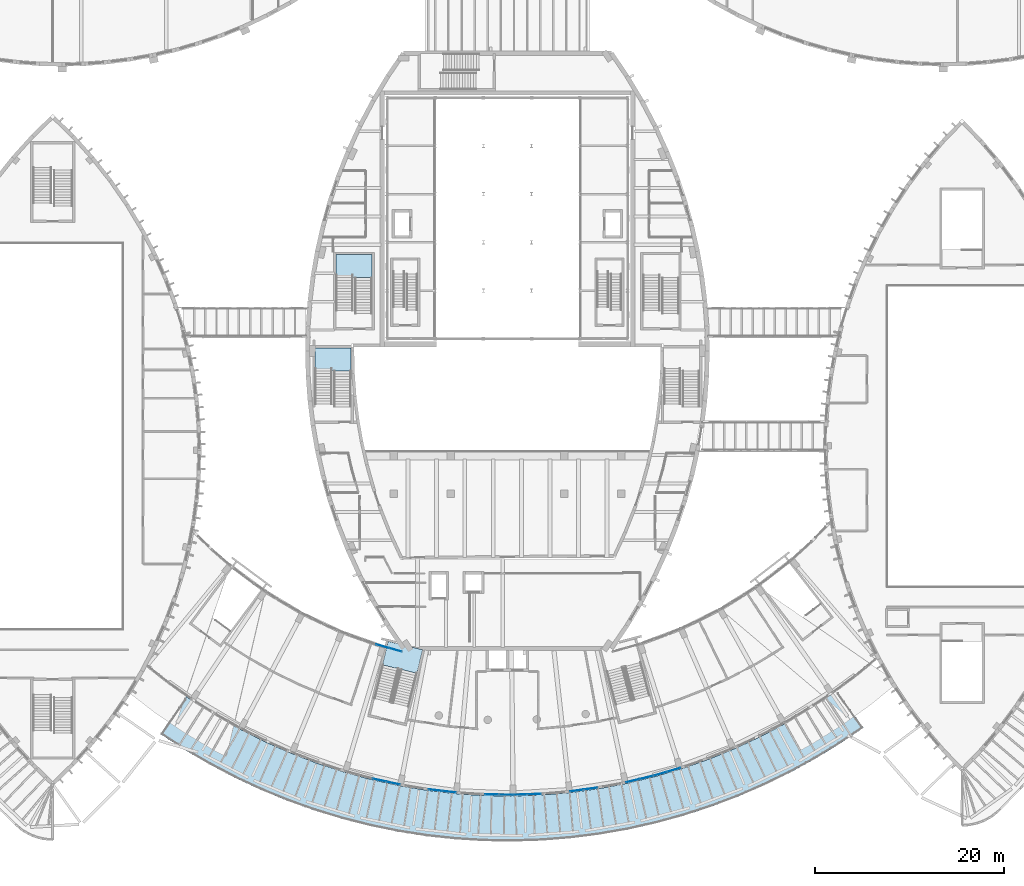
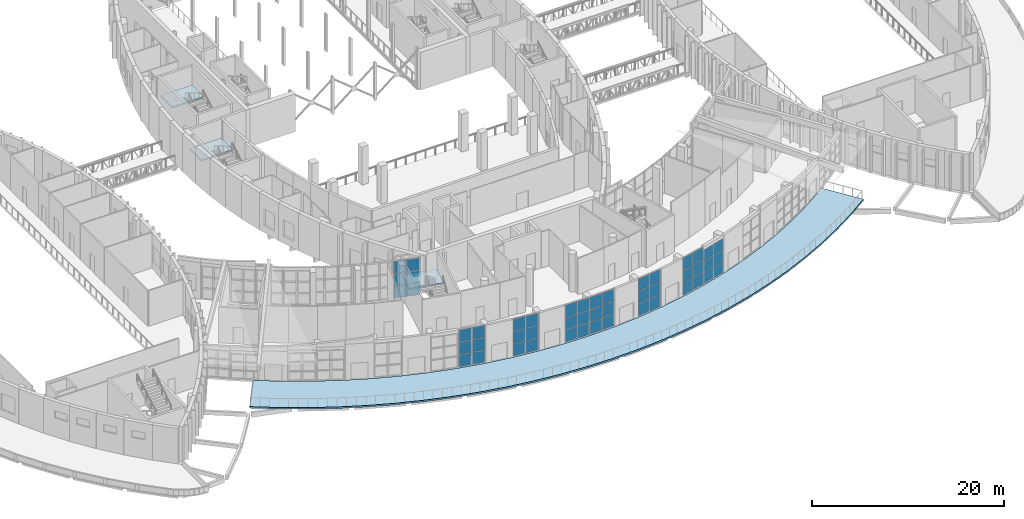
# One storey, part 43 of 93: 48 plates, 4 slabs, 11 elements without a shape of their own.
"""IFC4 building model written with IfcOpenShell, lengths in metres."""

from ifc_helpers import new_model, si_unit, direction, frame, origin, origin_2d, place, context, subcontext, project, spatial, polyline, rectangle, outline, extrude, material, layer, layer_set, type_object, element, aggregate, save


model = new_model("IFC4")

# Units and contexts
model_context = context("Model", 3, precision=1e-05, world=origin(), true_north=direction((0.0, 1.0)))
body_context = subcontext(model_context, "Body", "Model", "MODEL_VIEW")
ifc_project = project(units=[si_unit("LENGTHUNIT", "METRE"), si_unit("AREAUNIT", "SQUARE_METRE"), si_unit("VOLUMEUNIT", "CUBIC_METRE"), si_unit("PLANEANGLEUNIT", "RADIAN"), si_unit("MASSUNIT", "GRAM", prefix="KILO")], contexts=[model_context])

# Site, building, storey
site_placement = place(None, origin())
site = spatial("IfcSite", under=ifc_project, at=site_placement, CompositionType="ELEMENT")
building_placement = place(site_placement, origin())
building = spatial("IfcBuilding", under=site, at=building_placement, Name="Tide Square Theatres", CompositionType="ELEMENT")
storey_placement = place(building_placement, frame((0.0, 0.0, 5.39990234375)))
storey = spatial("IfcBuildingStorey", under=building, at=storey_placement, Name="L01", CompositionType="ELEMENT", Elevation=5.39990234375)

# Curtain wall, plates
ifc_material_1 = material(Name="Aluminium 6063-T5", Category="aluminium")
curtain_wall_type_1 = type_object("IfcCurtainWallType", Name="Unitised system curtain wall 4800 high", PredefinedType="USERDEFINED", material=ifc_material_1)
curtain_wall_1_placement = place(storey_placement, origin())
curtain_wall_1 = element("IfcCurtainWall", 1, at=curtain_wall_1_placement, inside=storey, type_object=curtain_wall_type_1, Name="Foyer outer curtain wall", ObjectType="UNITISED SYSTEM", PredefinedType="USERDEFINED")
ifc_material_2 = material(Name="Double-glazed unit with aluminium frame", Category="aluminium")
ifc_layer_1 = layer(ifc_material_2, 0.030029296875)
ifc_layer_set_1 = layer_set([ifc_layer_1], Name="Double-glazed unit with aluminium frame")
plate_type = type_object("IfcPlateType", Name="Curtain wall panel 30 thick", PredefinedType="CURTAIN_PANEL", material=ifc_layer_set_1)
plate_1_placement = place(storey_placement, frame((70.492431640625, 9.68310546875, 0.050048828125), z_axis=(0.0, 0.0, 1.0), x_axis=(0.976909597447, -0.213653079584, 0.0)))
plate_1 = element("IfcPlate", 2, at=plate_1_placement, type_object=plate_type, Name="CW-02 panel 1.1", PredefinedType="CURTAIN_PANEL", context=body_context, shape_type="SweptSolid", body=[
    extrude(rectangle(XDim=1.423095703125, YDim=0.030029296875, at=origin_2d()), origin(), (0.0, 0.0, 1.0), 1.52490234375),
])
plate_2_placement = place(storey_placement, frame((70.492431640625, 9.68310546875, 1.625), z_axis=(0.0, 0.0, 1.0), x_axis=(0.976909597447, -0.213653079584, 0.0)))
plate_2 = element("IfcPlate", 3, at=plate_2_placement, type_object=plate_type, Name="CW-02 panel 1.2", PredefinedType="CURTAIN_PANEL", context=body_context, shape_type="SweptSolid", body=[
    extrude(rectangle(XDim=1.423095703125, YDim=0.030029296875, at=origin_2d()), origin(), (0.0, 0.0, 1.0), 1.550048828125),
])
plate_3_placement = place(storey_placement, frame((70.492431640625, 9.68310546875, 3.22509765625), z_axis=(0.0, 0.0, 1.0), x_axis=(0.976909597447, -0.213653079584, 0.0)))
plate_3 = element("IfcPlate", 4, at=plate_3_placement, type_object=plate_type, Name="CW-02 panel 1.3", PredefinedType="CURTAIN_PANEL", context=body_context, shape_type="SweptSolid", body=[
    extrude(rectangle(XDim=1.423095703125, YDim=0.030029296875, at=origin_2d()), origin(), (0.0, 0.0, 1.0), 1.52490234375),
])
plate_4_placement = place(storey_placement, frame((71.931396484375, 9.368408203125, 0.050048828125), z_axis=(0.0, 0.0, 1.0), x_axis=(0.976909597447, -0.213653079584, 0.0)))
plate_4 = element("IfcPlate", 5, at=plate_4_placement, type_object=plate_type, Name="CW-02 panel 2.1", PredefinedType="CURTAIN_PANEL", context=body_context, shape_type="SweptSolid", body=[
    extrude(rectangle(XDim=1.423095703125, YDim=0.030029296875, at=origin_2d()), origin(), (0.0, 0.0, 1.0), 1.52490234375),
])
plate_5_placement = place(storey_placement, frame((71.931396484375, 9.368408203125, 1.625), z_axis=(0.0, 0.0, 1.0), x_axis=(0.976909597447, -0.213653079584, 0.0)))
plate_5 = element("IfcPlate", 6, at=plate_5_placement, type_object=plate_type, Name="CW-02 panel 2.2", PredefinedType="CURTAIN_PANEL", context=body_context, shape_type="SweptSolid", body=[
    extrude(rectangle(XDim=1.423095703125, YDim=0.030029296875, at=origin_2d()), origin(), (0.0, 0.0, 1.0), 1.550048828125),
])
plate_6_placement = place(storey_placement, frame((71.931396484375, 9.368408203125, 3.22509765625), z_axis=(0.0, 0.0, 1.0), x_axis=(0.976909597447, -0.213653079584, 0.0)))
plate_6 = element("IfcPlate", 7, at=plate_6_placement, type_object=plate_type, Name="CW-02 panel 2.3", PredefinedType="CURTAIN_PANEL", context=body_context, shape_type="SweptSolid", body=[
    extrude(rectangle(XDim=1.423095703125, YDim=0.030029296875, at=origin_2d()), origin(), (0.0, 0.0, 1.0), 1.52490234375),
])
aggregate(curtain_wall_1, [plate_1, plate_2, plate_3, plate_4, plate_5, plate_6])

curtain_wall_2_placement = place(storey_placement, origin())
curtain_wall_2 = element("IfcCurtainWall", 8, at=curtain_wall_2_placement, inside=storey, type_object=curtain_wall_type_1, Name="Foyer outer curtain wall", ObjectType="UNITISED SYSTEM", PredefinedType="USERDEFINED")
plate_7_placement = place(storey_placement, frame((76.386962890625, 8.625244140625, 0.050048828125), z_axis=(0.0, 0.0, 1.0), x_axis=(0.993370727282, -0.114954765797, 0.0)))
plate_7 = element("IfcPlate", 9, at=plate_7_placement, type_object=plate_type, Name="CW-02 panel 1.1", PredefinedType="CURTAIN_PANEL", context=body_context, shape_type="SweptSolid", body=[
    extrude(rectangle(XDim=1.423095703125, YDim=0.030029296875, at=origin_2d()), origin(), (0.0, 0.0, 1.0), 1.52490234375),
])
plate_8_placement = place(storey_placement, frame((76.386962890625, 8.625244140625, 1.625), z_axis=(0.0, 0.0, 1.0), x_axis=(0.993370727282, -0.114954765797, 0.0)))
plate_8 = element("IfcPlate", 10, at=plate_8_placement, type_object=plate_type, Name="CW-02 panel 1.2", PredefinedType="CURTAIN_PANEL", context=body_context, shape_type="SweptSolid", body=[
    extrude(rectangle(XDim=1.423095703125, YDim=0.030029296875, at=origin_2d()), origin(), (0.0, 0.0, 1.0), 1.550048828125),
])
plate_9_placement = place(storey_placement, frame((76.386962890625, 8.625244140625, 3.22509765625), z_axis=(0.0, 0.0, 1.0), x_axis=(0.993370727282, -0.114954765797, 0.0)))
plate_9 = element("IfcPlate", 11, at=plate_9_placement, type_object=plate_type, Name="CW-02 panel 1.3", PredefinedType="CURTAIN_PANEL", context=body_context, shape_type="SweptSolid", body=[
    extrude(rectangle(XDim=1.423095703125, YDim=0.030029296875, at=origin_2d()), origin(), (0.0, 0.0, 1.0), 1.52490234375),
])
plate_10_placement = place(storey_placement, frame((77.85009765625, 8.4560546875, 0.050048828125), z_axis=(0.0, 0.0, 1.0), x_axis=(0.993370727282, -0.114954765797, 0.0)))
plate_10 = element("IfcPlate", 12, at=plate_10_placement, type_object=plate_type, Name="CW-02 panel 2.1", PredefinedType="CURTAIN_PANEL", context=body_context, shape_type="SweptSolid", body=[
    extrude(rectangle(XDim=1.423095703125, YDim=0.030029296875, at=origin_2d()), origin(), (0.0, 0.0, 1.0), 1.52490234375),
])
plate_11_placement = place(storey_placement, frame((77.85009765625, 8.4560546875, 1.625), z_axis=(0.0, 0.0, 1.0), x_axis=(0.993370727282, -0.114954765797, 0.0)))
plate_11 = element("IfcPlate", 13, at=plate_11_placement, type_object=plate_type, Name="CW-02 panel 2.2", PredefinedType="CURTAIN_PANEL", context=body_context, shape_type="SweptSolid", body=[
    extrude(rectangle(XDim=1.423095703125, YDim=0.030029296875, at=origin_2d()), origin(), (0.0, 0.0, 1.0), 1.550048828125),
])
plate_12_placement = place(storey_placement, frame((77.85009765625, 8.4560546875, 3.22509765625), z_axis=(0.0, 0.0, 1.0), x_axis=(0.993370727282, -0.114954765797, 0.0)))
plate_12 = element("IfcPlate", 14, at=plate_12_placement, type_object=plate_type, Name="CW-02 panel 2.3", PredefinedType="CURTAIN_PANEL", context=body_context, shape_type="SweptSolid", body=[
    extrude(rectangle(XDim=1.423095703125, YDim=0.030029296875, at=origin_2d()), origin(), (0.0, 0.0, 1.0), 1.52490234375),
])
aggregate(curtain_wall_2, [plate_7, plate_8, plate_9, plate_10, plate_11, plate_12])

curtain_wall_3_placement = place(storey_placement, origin())
curtain_wall_3 = element("IfcCurtainWall", 15, at=curtain_wall_3_placement, inside=storey, type_object=curtain_wall_type_1, Name="Foyer outer curtain wall", ObjectType="UNITISED SYSTEM", PredefinedType="USERDEFINED")
plate_13_placement = place(storey_placement, frame((82.357666015625, 8.161865234375, 0.050048828125), z_axis=(0.0, 0.0, 1.0), x_axis=(0.999885679455, -0.015120450414, 0.0)))
plate_13 = element("IfcPlate", 16, at=plate_13_placement, type_object=plate_type, Name="CW-02 panel 1.1", PredefinedType="CURTAIN_PANEL", context=body_context, shape_type="SweptSolid", body=[
    extrude(rectangle(XDim=1.4228515625, YDim=0.030029296875, at=origin_2d()), origin(), (0.0, 0.0, 1.0), 1.52490234375),
])
plate_14_placement = place(storey_placement, frame((82.357666015625, 8.161865234375, 1.625), z_axis=(0.0, 0.0, 1.0), x_axis=(0.999885679455, -0.015120450414, 0.0)))
plate_14 = element("IfcPlate", 17, at=plate_14_placement, type_object=plate_type, Name="CW-02 panel 1.2", PredefinedType="CURTAIN_PANEL", context=body_context, shape_type="SweptSolid", body=[
    extrude(rectangle(XDim=1.4228515625, YDim=0.030029296875, at=origin_2d()), origin(), (0.0, 0.0, 1.0), 1.550048828125),
])
plate_15_placement = place(storey_placement, frame((82.357666015625, 8.161865234375, 3.22509765625), z_axis=(0.0, 0.0, 1.0), x_axis=(0.999885679455, -0.015120450414, 0.0)))
plate_15 = element("IfcPlate", 18, at=plate_15_placement, type_object=plate_type, Name="CW-02 panel 1.3", PredefinedType="CURTAIN_PANEL", context=body_context, shape_type="SweptSolid", body=[
    extrude(rectangle(XDim=1.4228515625, YDim=0.030029296875, at=origin_2d()), origin(), (0.0, 0.0, 1.0), 1.52490234375),
])
plate_16_placement = place(storey_placement, frame((83.830322265625, 8.139404296875, 0.050048828125), z_axis=(0.0, 0.0, 1.0), x_axis=(0.999885679455, -0.015120450414, 0.0)))
plate_16 = element("IfcPlate", 19, at=plate_16_placement, type_object=plate_type, Name="CW-02 panel 2.1", PredefinedType="CURTAIN_PANEL", context=body_context, shape_type="SweptSolid", body=[
    extrude(rectangle(XDim=1.4228515625, YDim=0.030029296875, at=origin_2d()), origin(), (0.0, 0.0, 1.0), 1.52490234375),
])
plate_17_placement = place(storey_placement, frame((83.830322265625, 8.139404296875, 1.625), z_axis=(0.0, 0.0, 1.0), x_axis=(0.999885679455, -0.015120450414, 0.0)))
plate_17 = element("IfcPlate", 20, at=plate_17_placement, type_object=plate_type, Name="CW-02 panel 2.2", PredefinedType="CURTAIN_PANEL", context=body_context, shape_type="SweptSolid", body=[
    extrude(rectangle(XDim=1.4228515625, YDim=0.030029296875, at=origin_2d()), origin(), (0.0, 0.0, 1.0), 1.550048828125),
])
plate_18_placement = place(storey_placement, frame((83.830322265625, 8.139404296875, 3.22509765625), z_axis=(0.0, 0.0, 1.0), x_axis=(0.999885679455, -0.015120450414, 0.0)))
plate_18 = element("IfcPlate", 21, at=plate_18_placement, type_object=plate_type, Name="CW-02 panel 2.3", PredefinedType="CURTAIN_PANEL", context=body_context, shape_type="SweptSolid", body=[
    extrude(rectangle(XDim=1.4228515625, YDim=0.030029296875, at=origin_2d()), origin(), (0.0, 0.0, 1.0), 1.52490234375),
])
aggregate(curtain_wall_3, [plate_13, plate_14, plate_15, plate_16, plate_17, plate_18])

curtain_wall_4_placement = place(storey_placement, origin())
curtain_wall_4 = element("IfcCurtainWall", 22, at=curtain_wall_4_placement, inside=storey, type_object=curtain_wall_type_1, Name="Foyer outer curtain wall", ObjectType="UNITISED SYSTEM", PredefinedType="USERDEFINED")
plate_19_placement = place(storey_placement, frame((85.352783203125, 8.154541015625, 0.050048828125), z_axis=(0.0, 0.0, 1.0), x_axis=(0.999391522611, 0.034879571875, 0.0)))
plate_19 = element("IfcPlate", 23, at=plate_19_placement, type_object=plate_type, Name="CW-02 panel 1.1", PredefinedType="CURTAIN_PANEL", context=body_context, shape_type="SweptSolid", body=[
    extrude(rectangle(XDim=1.423095703125, YDim=0.030029296875, at=origin_2d()), origin(), (0.0, 0.0, 1.0), 1.52490234375),
])
plate_20_placement = place(storey_placement, frame((85.352783203125, 8.154541015625, 1.625), z_axis=(0.0, 0.0, 1.0), x_axis=(0.999391522611, 0.034879571875, 0.0)))
plate_20 = element("IfcPlate", 24, at=plate_20_placement, type_object=plate_type, Name="CW-02 panel 1.2", PredefinedType="CURTAIN_PANEL", context=body_context, shape_type="SweptSolid", body=[
    extrude(rectangle(XDim=1.423095703125, YDim=0.030029296875, at=origin_2d()), origin(), (0.0, 0.0, 1.0), 1.550048828125),
])
plate_21_placement = place(storey_placement, frame((85.352783203125, 8.154541015625, 3.22509765625), z_axis=(0.0, 0.0, 1.0), x_axis=(0.999391522611, 0.034879571875, 0.0)))
plate_21 = element("IfcPlate", 25, at=plate_21_placement, type_object=plate_type, Name="CW-02 panel 1.3", PredefinedType="CURTAIN_PANEL", context=body_context, shape_type="SweptSolid", body=[
    extrude(rectangle(XDim=1.423095703125, YDim=0.030029296875, at=origin_2d()), origin(), (0.0, 0.0, 1.0), 1.52490234375),
])
plate_22_placement = place(storey_placement, frame((86.824951171875, 8.2060546875, 0.050048828125), z_axis=(0.0, 0.0, 1.0), x_axis=(0.999391522611, 0.034879571875, 0.0)))
plate_22 = element("IfcPlate", 26, at=plate_22_placement, type_object=plate_type, Name="CW-02 panel 2.1", PredefinedType="CURTAIN_PANEL", context=body_context, shape_type="SweptSolid", body=[
    extrude(rectangle(XDim=1.423095703125, YDim=0.030029296875, at=origin_2d()), origin(), (0.0, 0.0, 1.0), 1.52490234375),
])
plate_23_placement = place(storey_placement, frame((86.824951171875, 8.2060546875, 1.625), z_axis=(0.0, 0.0, 1.0), x_axis=(0.999391522611, 0.034879571875, 0.0)))
plate_23 = element("IfcPlate", 27, at=plate_23_placement, type_object=plate_type, Name="CW-02 panel 2.2", PredefinedType="CURTAIN_PANEL", context=body_context, shape_type="SweptSolid", body=[
    extrude(rectangle(XDim=1.423095703125, YDim=0.030029296875, at=origin_2d()), origin(), (0.0, 0.0, 1.0), 1.550048828125),
])
plate_24_placement = place(storey_placement, frame((86.824951171875, 8.2060546875, 3.22509765625), z_axis=(0.0, 0.0, 1.0), x_axis=(0.999391522611, 0.034879571875, 0.0)))
plate_24 = element("IfcPlate", 28, at=plate_24_placement, type_object=plate_type, Name="CW-02 panel 2.3", PredefinedType="CURTAIN_PANEL", context=body_context, shape_type="SweptSolid", body=[
    extrude(rectangle(XDim=1.423095703125, YDim=0.030029296875, at=origin_2d()), origin(), (0.0, 0.0, 1.0), 1.52490234375),
])
aggregate(curtain_wall_4, [plate_19, plate_20, plate_21, plate_22, plate_23, plate_24])

curtain_wall_5_placement = place(storey_placement, origin())
curtain_wall_5 = element("IfcCurtainWall", 29, at=curtain_wall_5_placement, inside=storey, type_object=curtain_wall_type_1, Name="Foyer outer curtain wall", ObjectType="UNITISED SYSTEM", PredefinedType="USERDEFINED")
plate_25_placement = place(storey_placement, frame((91.32568359375, 8.589111328125, 0.050048828125), z_axis=(0.0, 0.0, 1.0), x_axis=(0.990903141427, 0.134576982836, 0.0)))
plate_25 = element("IfcPlate", 30, at=plate_25_placement, type_object=plate_type, Name="CW-02 panel 1.1", PredefinedType="CURTAIN_PANEL", context=body_context, shape_type="SweptSolid", body=[
    extrude(rectangle(XDim=1.423095703125, YDim=0.030029296875, at=origin_2d()), origin(), (0.0, 0.0, 1.0), 1.52490234375),
])
plate_26_placement = place(storey_placement, frame((91.32568359375, 8.589111328125, 1.625), z_axis=(0.0, 0.0, 1.0), x_axis=(0.990903141427, 0.134576982836, 0.0)))
plate_26 = element("IfcPlate", 31, at=plate_26_placement, type_object=plate_type, Name="CW-02 panel 1.2", PredefinedType="CURTAIN_PANEL", context=body_context, shape_type="SweptSolid", body=[
    extrude(rectangle(XDim=1.423095703125, YDim=0.030029296875, at=origin_2d()), origin(), (0.0, 0.0, 1.0), 1.550048828125),
])
plate_27_placement = place(storey_placement, frame((91.32568359375, 8.589111328125, 3.22509765625), z_axis=(0.0, 0.0, 1.0), x_axis=(0.990903141427, 0.134576982836, 0.0)))
plate_27 = element("IfcPlate", 32, at=plate_27_placement, type_object=plate_type, Name="CW-02 panel 1.3", PredefinedType="CURTAIN_PANEL", context=body_context, shape_type="SweptSolid", body=[
    extrude(rectangle(XDim=1.423095703125, YDim=0.030029296875, at=origin_2d()), origin(), (0.0, 0.0, 1.0), 1.52490234375),
])
plate_28_placement = place(storey_placement, frame((92.785400390625, 8.787353515625, 0.050048828125), z_axis=(0.0, 0.0, 1.0), x_axis=(0.990903141427, 0.134576982836, 0.0)))
plate_28 = element("IfcPlate", 33, at=plate_28_placement, type_object=plate_type, Name="CW-02 panel 2.1", PredefinedType="CURTAIN_PANEL", context=body_context, shape_type="SweptSolid", body=[
    extrude(rectangle(XDim=1.423095703125, YDim=0.030029296875, at=origin_2d()), origin(), (0.0, 0.0, 1.0), 1.52490234375),
])
plate_29_placement = place(storey_placement, frame((92.785400390625, 8.787353515625, 1.625), z_axis=(0.0, 0.0, 1.0), x_axis=(0.990903141427, 0.134576982836, 0.0)))
plate_29 = element("IfcPlate", 34, at=plate_29_placement, type_object=plate_type, Name="CW-02 panel 2.2", PredefinedType="CURTAIN_PANEL", context=body_context, shape_type="SweptSolid", body=[
    extrude(rectangle(XDim=1.423095703125, YDim=0.030029296875, at=origin_2d()), origin(), (0.0, 0.0, 1.0), 1.550048828125),
])
plate_30_placement = place(storey_placement, frame((92.785400390625, 8.787353515625, 3.22509765625), z_axis=(0.0, 0.0, 1.0), x_axis=(0.990903141427, 0.134576982836, 0.0)))
plate_30 = element("IfcPlate", 35, at=plate_30_placement, type_object=plate_type, Name="CW-02 panel 2.3", PredefinedType="CURTAIN_PANEL", context=body_context, shape_type="SweptSolid", body=[
    extrude(rectangle(XDim=1.423095703125, YDim=0.030029296875, at=origin_2d()), origin(), (0.0, 0.0, 1.0), 1.52490234375),
])
aggregate(curtain_wall_5, [plate_25, plate_26, plate_27, plate_28, plate_29, plate_30])

curtain_wall_6_placement = place(storey_placement, origin())
curtain_wall_6 = element("IfcCurtainWall", 36, at=curtain_wall_6_placement, inside=storey, type_object=curtain_wall_type_1, Name="Foyer outer curtain wall", ObjectType="UNITISED SYSTEM", PredefinedType="USERDEFINED")
plate_31_placement = place(storey_placement, frame((97.225341796875, 9.618408203125, 0.050048828125), z_axis=(0.0, 0.0, 1.0), x_axis=(0.972498081523, 0.232910887324, 0.0)))
plate_31 = element("IfcPlate", 37, at=plate_31_placement, type_object=plate_type, Name="CW-02 panel 1.1", PredefinedType="CURTAIN_PANEL", context=body_context, shape_type="SweptSolid", body=[
    extrude(rectangle(XDim=1.423095703125, YDim=0.030029296875, at=origin_2d()), origin(), (0.0, 0.0, 1.0), 1.52490234375),
])
plate_32_placement = place(storey_placement, frame((97.225341796875, 9.618408203125, 1.625), z_axis=(0.0, 0.0, 1.0), x_axis=(0.972498081523, 0.232910887324, 0.0)))
plate_32 = element("IfcPlate", 38, at=plate_32_placement, type_object=plate_type, Name="CW-02 panel 1.2", PredefinedType="CURTAIN_PANEL", context=body_context, shape_type="SweptSolid", body=[
    extrude(rectangle(XDim=1.423095703125, YDim=0.030029296875, at=origin_2d()), origin(), (0.0, 0.0, 1.0), 1.550048828125),
])
plate_33_placement = place(storey_placement, frame((97.225341796875, 9.618408203125, 3.22509765625), z_axis=(0.0, 0.0, 1.0), x_axis=(0.972498081523, 0.232910887324, 0.0)))
plate_33 = element("IfcPlate", 39, at=plate_33_placement, type_object=plate_type, Name="CW-02 panel 1.3", PredefinedType="CURTAIN_PANEL", context=body_context, shape_type="SweptSolid", body=[
    extrude(rectangle(XDim=1.423095703125, YDim=0.030029296875, at=origin_2d()), origin(), (0.0, 0.0, 1.0), 1.52490234375),
])
plate_34_placement = place(storey_placement, frame((98.65771484375, 9.96142578125, 0.050048828125), z_axis=(0.0, 0.0, 1.0), x_axis=(0.972498081523, 0.232910887324, 0.0)))
plate_34 = element("IfcPlate", 40, at=plate_34_placement, type_object=plate_type, Name="CW-02 panel 2.1", PredefinedType="CURTAIN_PANEL", context=body_context, shape_type="SweptSolid", body=[
    extrude(rectangle(XDim=1.423095703125, YDim=0.030029296875, at=origin_2d()), origin(), (0.0, 0.0, 1.0), 1.52490234375),
])
plate_35_placement = place(storey_placement, frame((98.65771484375, 9.96142578125, 1.625), z_axis=(0.0, 0.0, 1.0), x_axis=(0.972498081523, 0.232910887324, 0.0)))
plate_35 = element("IfcPlate", 41, at=plate_35_placement, type_object=plate_type, Name="CW-02 panel 2.2", PredefinedType="CURTAIN_PANEL", context=body_context, shape_type="SweptSolid", body=[
    extrude(rectangle(XDim=1.423095703125, YDim=0.030029296875, at=origin_2d()), origin(), (0.0, 0.0, 1.0), 1.550048828125),
])
plate_36_placement = place(storey_placement, frame((98.65771484375, 9.96142578125, 3.22509765625), z_axis=(0.0, 0.0, 1.0), x_axis=(0.972498081523, 0.232910887324, 0.0)))
plate_36 = element("IfcPlate", 42, at=plate_36_placement, type_object=plate_type, Name="CW-02 panel 2.3", PredefinedType="CURTAIN_PANEL", context=body_context, shape_type="SweptSolid", body=[
    extrude(rectangle(XDim=1.423095703125, YDim=0.030029296875, at=origin_2d()), origin(), (0.0, 0.0, 1.0), 1.52490234375),
])
aggregate(curtain_wall_6, [plate_31, plate_32, plate_33, plate_34, plate_35, plate_36])

ifc_material_3 = material(Name="Aluminium 6063-T5", Category="aluminium")
curtain_wall_type_2 = type_object("IfcCurtainWallType", Name="Unitised system curtain wall 4600 high", PredefinedType="USERDEFINED", material=ifc_material_3)
curtain_wall_7_placement = place(storey_placement, origin())
curtain_wall_7 = element("IfcCurtainWall", 43, at=curtain_wall_7_placement, inside=storey, type_object=curtain_wall_type_2, Name="Foyer outer curtain wall", ObjectType="UNITISED SYSTEM", PredefinedType="USERDEFINED")
plate_37_placement = place(storey_placement, frame((100.129150390625, 10.35302734375, 0.050048828125), z_axis=(0.0, 0.0, 1.0), x_axis=(0.959626058524, 0.281278914607, 0.0)))
plate_37 = element("IfcPlate", 44, at=plate_37_placement, type_object=plate_type, Name="CW-03 panel 1.1", PredefinedType="CURTAIN_PANEL", context=body_context, shape_type="SweptSolid", body=[
    extrude(rectangle(XDim=1.423095703125, YDim=0.030029296875, at=origin_2d()), origin(), (0.0, 0.0, 1.0), 1.3916015625),
])
plate_38_placement = place(storey_placement, frame((100.129150390625, 10.35302734375, 1.491943359375), z_axis=(0.0, 0.0, 1.0), x_axis=(0.959626058524, 0.281278914607, 0.0)))
plate_38 = element("IfcPlate", 45, at=plate_38_placement, type_object=plate_type, Name="CW-03 panel 1.2", PredefinedType="CURTAIN_PANEL", context=body_context, shape_type="SweptSolid", body=[
    extrude(rectangle(XDim=1.423095703125, YDim=0.030029296875, at=origin_2d()), origin(), (0.0, 0.0, 1.0), 1.41650390625),
])
plate_39_placement = place(storey_placement, frame((100.129150390625, 10.35302734375, 2.95849609375), z_axis=(0.0, 0.0, 1.0), x_axis=(0.959626058524, 0.281278914607, 0.0)))
plate_39 = element("IfcPlate", 46, at=plate_39_placement, type_object=plate_type, Name="CW-03 panel 1.3", PredefinedType="CURTAIN_PANEL", context=body_context, shape_type="SweptSolid", body=[
    extrude(rectangle(XDim=1.423095703125, YDim=0.030029296875, at=origin_2d()), origin(), (0.0, 0.0, 1.0), 1.3916015625),
])
plate_40_placement = place(storey_placement, frame((101.54248046875, 10.767333984375, 0.050048828125), z_axis=(0.0, 0.0, 1.0), x_axis=(0.959626058524, 0.281278914607, 0.0)))
plate_40 = element("IfcPlate", 47, at=plate_40_placement, type_object=plate_type, Name="CW-03 panel 2.1", PredefinedType="CURTAIN_PANEL", context=body_context, shape_type="SweptSolid", body=[
    extrude(rectangle(XDim=1.423095703125, YDim=0.030029296875, at=origin_2d()), origin(), (0.0, 0.0, 1.0), 1.3916015625),
])
plate_41_placement = place(storey_placement, frame((101.54248046875, 10.767333984375, 1.491943359375), z_axis=(0.0, 0.0, 1.0), x_axis=(0.959626058524, 0.281278914607, 0.0)))
plate_41 = element("IfcPlate", 48, at=plate_41_placement, type_object=plate_type, Name="CW-03 panel 2.2", PredefinedType="CURTAIN_PANEL", context=body_context, shape_type="SweptSolid", body=[
    extrude(rectangle(XDim=1.423095703125, YDim=0.030029296875, at=origin_2d()), origin(), (0.0, 0.0, 1.0), 1.41650390625),
])
plate_42_placement = place(storey_placement, frame((101.54248046875, 10.767333984375, 2.95849609375), z_axis=(0.0, 0.0, 1.0), x_axis=(0.959626058524, 0.281278914607, 0.0)))
plate_42 = element("IfcPlate", 49, at=plate_42_placement, type_object=plate_type, Name="CW-03 panel 2.3", PredefinedType="CURTAIN_PANEL", context=body_context, shape_type="SweptSolid", body=[
    extrude(rectangle(XDim=1.423095703125, YDim=0.030029296875, at=origin_2d()), origin(), (0.0, 0.0, 1.0), 1.3916015625),
])
aggregate(curtain_wall_7, [plate_37, plate_38, plate_39, plate_40, plate_41, plate_42])

curtain_wall_8_placement = place(storey_placement, origin())
curtain_wall_8 = element("IfcCurtainWall", 50, at=curtain_wall_8_placement, inside=storey, type_object=curtain_wall_type_1, Name="Foyer inner curtain wall", ObjectType="UNITISED SYSTEM", PredefinedType="USERDEFINED")
plate_43_placement = place(storey_placement, frame((72.181396484375, 23.432373046875, 0.050048828125), z_axis=(0.0, 0.0, 1.0), x_axis=(-0.962486941691, 0.271328006432, 0.0)))
plate_43 = element("IfcPlate", 51, at=plate_43_placement, type_object=plate_type, Name="CW-02 panel 1.1", PredefinedType="CURTAIN_PANEL", context=body_context, shape_type="SweptSolid", body=[
    extrude(rectangle(XDim=1.371826171875, YDim=0.030029296875, at=origin_2d()), origin(), (0.0, 0.0, 1.0), 1.52490234375),
])
plate_44_placement = place(storey_placement, frame((72.181396484375, 23.432373046875, 1.625), z_axis=(0.0, 0.0, 1.0), x_axis=(-0.962486941691, 0.271328006432, 0.0)))
plate_44 = element("IfcPlate", 52, at=plate_44_placement, type_object=plate_type, Name="CW-02 panel 1.2", PredefinedType="CURTAIN_PANEL", context=body_context, shape_type="SweptSolid", body=[
    extrude(rectangle(XDim=1.371826171875, YDim=0.030029296875, at=origin_2d()), origin(), (0.0, 0.0, 1.0), 1.550048828125),
])
plate_45_placement = place(storey_placement, frame((72.181396484375, 23.432373046875, 3.22509765625), z_axis=(0.0, 0.0, 1.0), x_axis=(-0.962486941691, 0.271328006432, 0.0)))
plate_45 = element("IfcPlate", 53, at=plate_45_placement, type_object=plate_type, Name="CW-02 panel 1.3", PredefinedType="CURTAIN_PANEL", context=body_context, shape_type="SweptSolid", body=[
    extrude(rectangle(XDim=1.371826171875, YDim=0.030029296875, at=origin_2d()), origin(), (0.0, 0.0, 1.0), 1.52490234375),
])
plate_46_placement = place(storey_placement, frame((70.81298828125, 23.818115234375, 0.050048828125), z_axis=(0.0, 0.0, 1.0), x_axis=(-0.962486941691, 0.271328006432, 0.0)))
plate_46 = element("IfcPlate", 54, at=plate_46_placement, type_object=plate_type, Name="CW-02 panel 2.1", PredefinedType="CURTAIN_PANEL", context=body_context, shape_type="SweptSolid", body=[
    extrude(rectangle(XDim=1.371826171875, YDim=0.030029296875, at=origin_2d()), origin(), (0.0, 0.0, 1.0), 1.52490234375),
])
plate_47_placement = place(storey_placement, frame((70.81298828125, 23.818115234375, 1.625), z_axis=(0.0, 0.0, 1.0), x_axis=(-0.962486941691, 0.271328006432, 0.0)))
plate_47 = element("IfcPlate", 55, at=plate_47_placement, type_object=plate_type, Name="CW-02 panel 2.2", PredefinedType="CURTAIN_PANEL", context=body_context, shape_type="SweptSolid", body=[
    extrude(rectangle(XDim=1.371826171875, YDim=0.030029296875, at=origin_2d()), origin(), (0.0, 0.0, 1.0), 1.550048828125),
])
plate_48_placement = place(storey_placement, frame((70.81298828125, 23.818115234375, 3.22509765625), z_axis=(0.0, 0.0, 1.0), x_axis=(-0.962486941691, 0.271328006432, 0.0)))
plate_48 = element("IfcPlate", 56, at=plate_48_placement, type_object=plate_type, Name="CW-02 panel 2.3", PredefinedType="CURTAIN_PANEL", context=body_context, shape_type="SweptSolid", body=[
    extrude(rectangle(XDim=1.371826171875, YDim=0.030029296875, at=origin_2d()), origin(), (0.0, 0.0, 1.0), 1.52490234375),
])
aggregate(curtain_wall_8, [plate_43, plate_44, plate_45, plate_46, plate_47, plate_48])

# Slab
ifc_material_4 = material(Name="Concrete C35", Category="concrete")
ifc_layer_2 = layer(ifc_material_4, 0.199951171875)
ifc_layer_set_2 = layer_set([ifc_layer_2], Name="Concrete C35")
slab_type_1 = type_object("IfcSlabType", Name="RC floor slab 200", PredefinedType="FLOOR", material=ifc_layer_set_2)
slab_1_placement = place(storey_placement, frame((0.0, 0.0, -0.199951171875)))
element("IfcSlab", 57, at=slab_1_placement, inside=storey, type_object=slab_type_1, Name="South arcade veranda slab", PredefinedType="FLOOR", context=body_context, shape_type="SweptSolid", body=[
    extrude(outline(polyline([(49.930908203125, 12.87890625), (52.552001953125, 11.342529296875), (55.242431640625, 9.9306640625), (57.99609375, 8.646484375), (60.806884765625, 7.492919921875), (63.668701171875, 6.47216796875), (66.5751953125, 5.586669921875), (69.52001953125, 4.83837890625), (72.49658203125, 4.229248046875), (75.49853515625, 3.760009765625), (78.51904296875, 3.43212890625), (81.5517578125, 3.246337890625), (84.58984375, 3.20263671875), (87.626708984375, 3.301513671875), (90.6552734375, 3.542724609375), (93.66943359375, 3.925537109375), (96.662353515625, 4.44921875), (99.62744140625, 5.112548828125), (102.55810546875, 5.914306640625), (105.447998046875, 6.852294921875), (108.290771484375, 7.925048828125), (111.080078125, 9.129638671875), (113.809814453125, 10.4638671875), (116.47412109375, 11.92431640625), (119.06689453125, 13.50830078125), (121.582763671875, 15.2119140625), (118.798828125, 19.1220703125), (116.27197265625, 17.418212890625), (113.661865234375, 15.8447265625), (110.97509765625, 14.40576171875), (108.218994140625, 13.105224609375), (105.400390625, 11.9462890625), (102.5263671875, 10.931884765625), (99.604736328125, 10.064697265625), (96.642578125, 9.34716796875), (93.648193359375, 8.78076171875), (90.628662109375, 8.3671875), (87.592041015625, 8.107666015625), (84.546142578125, 8.00244140625), (81.498779296875, 8.05224609375), (78.4580078125, 8.256591796875), (75.431396484375, 8.614990234375), (72.427001953125, 9.126708984375), (69.45263671875, 9.790283203125), (66.515380859375, 10.60400390625), (63.62353515625, 11.56591796875), (60.7841796875, 12.67333984375), (58.0048828125, 13.923583984375), (55.29248046875, 15.3134765625), (52.654296875, 16.839111328125), (50.0966796875, 18.496826171875), (47.384521484375, 14.53662109375), (49.930908203125, 12.87890625)])), origin(), (0.0, 0.0, 1.0), 0.199951171875),
])

# Stair, slab
ifc_material_5 = material(Name="Concrete C35", Category="concrete")
stair_type_1 = type_object("IfcStairType", Name="Stair half turn 1800 wide, 28 risers, rise 4800", PredefinedType="HALF_TURN_STAIR", material=ifc_material_5)
stair_1_placement = place(storey_placement, origin())
stair_1 = element("IfcStair", 58, at=stair_1_placement, inside=storey, type_object=stair_type_1, Name="Main Theatre West Stair", PredefinedType="HALF_TURN_STAIR")
ifc_material_6 = material(Name="Concrete C35", Category="concrete")
ifc_layer_3 = layer(ifc_material_6, 0.199951171875)
ifc_layer_set_3 = layer_set([ifc_layer_3], Name="Concrete C35")
slab_type_2 = type_object("IfcSlabType", Name="RC landing slab 200", PredefinedType="LANDING", material=ifc_layer_set_3)
slab_2_placement = place(storey_placement, frame((0.0, 0.0, 2.2001953125)))
slab_2 = element("IfcSlab", 59, at=slab_2_placement, type_object=slab_type_2, Name="ST-1800-4800 landing 1", PredefinedType="LANDING", context=body_context, shape_type="SweptSolid", body=[
    extrude(outline(polyline([(69.699951171875, 62.719970703125), (69.699951171875, 65.14990234375), (65.89990234375, 65.14990234375), (65.89990234375, 62.719970703125), (69.699951171875, 62.719970703125)])), origin(), (0.0, 0.0, 1.0), 0.199951171875),
])
aggregate(stair_1, [slab_2])

stair_2_placement = place(storey_placement, origin())
stair_2 = element("IfcStair", 60, at=stair_2_placement, inside=storey, type_object=stair_type_1, Name="Main Theatre West Circle Stair", PredefinedType="HALF_TURN_STAIR")
slab_3_placement = place(storey_placement, frame((0.0, 0.0, 2.2001953125)))
slab_3 = element("IfcSlab", 61, at=slab_3_placement, type_object=slab_type_2, Name="ST-1800-4800 landing 1", PredefinedType="LANDING", context=body_context, shape_type="SweptSolid", body=[
    extrude(outline(polyline([(67.5, 52.8701171875), (67.5, 55.300048828125), (63.699951171875, 55.300048828125), (63.699951171875, 52.8701171875), (67.5, 52.8701171875)])), origin(), (0.0, 0.0, 1.0), 0.199951171875),
])
aggregate(stair_2, [slab_3])

ifc_material_7 = material(Name="Concrete C35", Category="concrete")
stair_type_2 = type_object("IfcStairType", Name="Foyer exit stair half turn 1200 wide", PredefinedType="HALF_TURN_STAIR", material=ifc_material_7)
stair_3_placement = place(storey_placement, origin())
stair_3 = element("IfcStair", 62, at=stair_3_placement, inside=storey, type_object=stair_type_2, Name="L01 Exit stair F3", PredefinedType="HALF_TURN_STAIR")
slab_4_placement = place(storey_placement, frame((0.0, 0.0, 2.2001953125)))
slab_4 = element("IfcSlab", 63, at=slab_4_placement, type_object=slab_type_2, Name="F3 landing 1", PredefinedType="LANDING", context=body_context, shape_type="SweptSolid", body=[
    extrude(outline(polyline([(74.447265625, 20.962646484375), (75.0546875, 23.450439453125), (71.41162109375, 24.33984375), (70.804443359375, 21.85205078125), (74.447265625, 20.962646484375)])), origin(), (0.0, 0.0, 1.0), 0.199951171875),
])
aggregate(stair_3, [slab_4])

save(model, "model.ifc")
